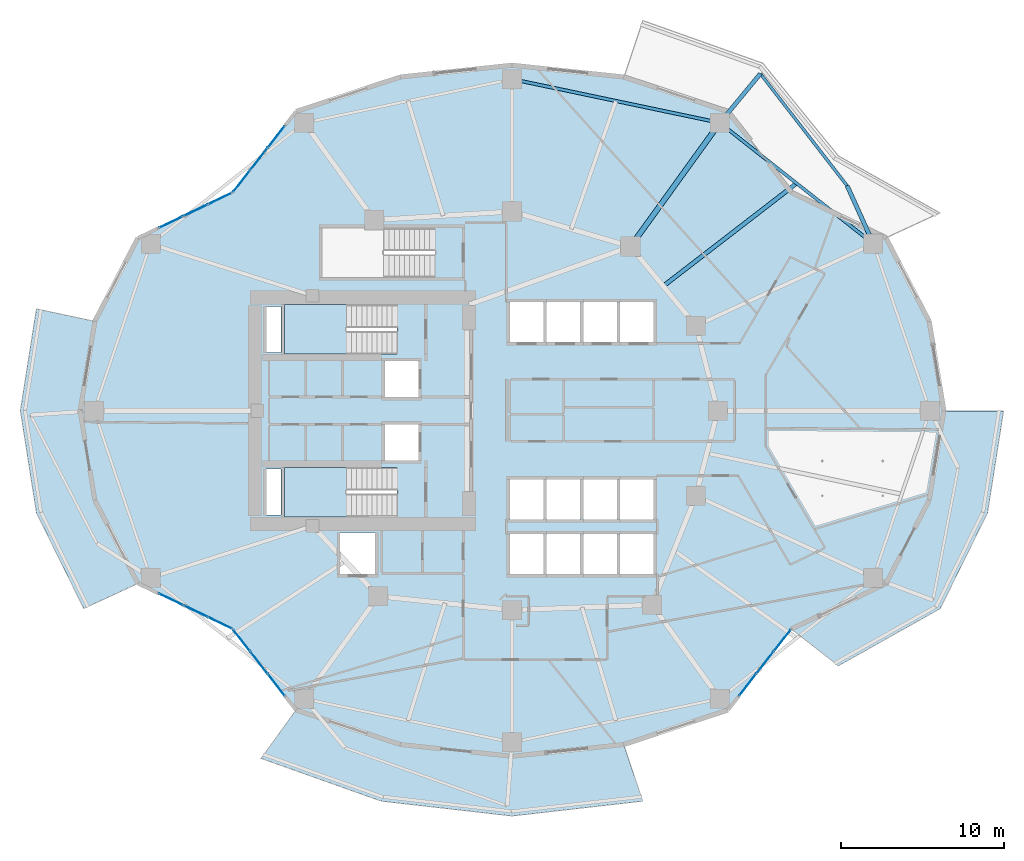
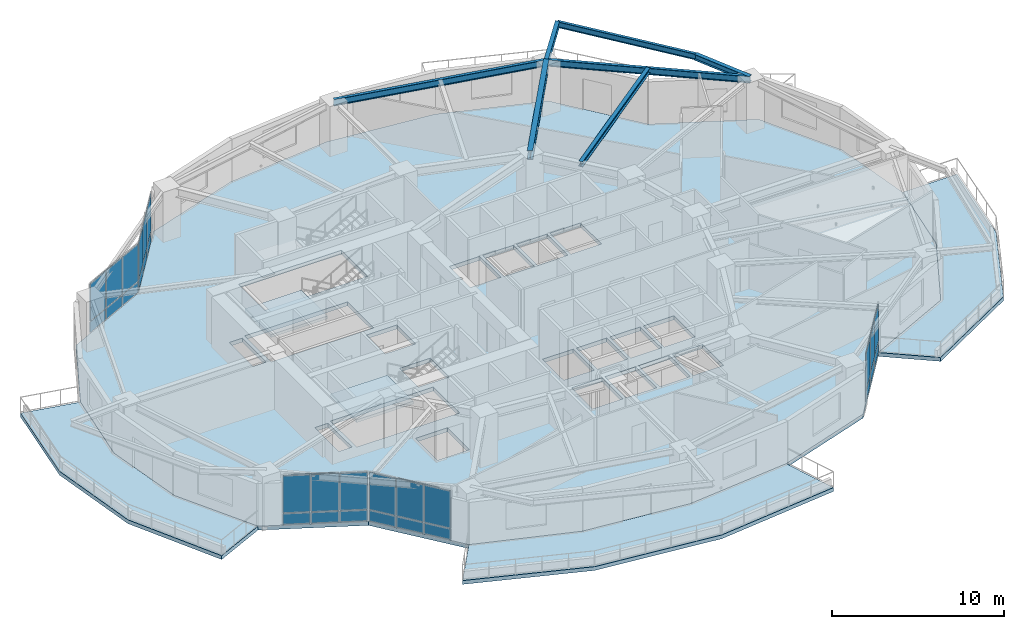
# One storey, part 7 of 18: 35 plates, 7 beams, 6 slabs, 7 elements without a shape of their own.
"""IFC4 building model written with IfcOpenShell, lengths in metres."""

from ifc_helpers import new_model, si_unit, direction, frame, origin, origin_2d, place, context, subcontext, project, spatial, polyline, rectangle, i_section, outline, extrude, material, layer, layer_set, material_profile, profile_set, type_object, element, aggregate, save


model = new_model("IFC4")

# Units and contexts
model_context = context("Model", 3, precision=1e-05, world=origin(), true_north=direction((0.0, 1.0)))
body_context = subcontext(model_context, "Body", "Model", "MODEL_VIEW")
ifc_project = project(units=[si_unit("LENGTHUNIT", "METRE"), si_unit("AREAUNIT", "SQUARE_METRE"), si_unit("VOLUMEUNIT", "CUBIC_METRE"), si_unit("PLANEANGLEUNIT", "RADIAN"), si_unit("MASSUNIT", "GRAM", prefix="KILO")], contexts=[model_context])

# Site, building, storey
site_placement = place(None, origin())
site = spatial("IfcSite", under=ifc_project, at=site_placement, CompositionType="ELEMENT")
building_placement = place(site_placement, origin())
building = spatial("IfcBuilding", under=site, at=building_placement, Name="Kolvaren Gate Tower and Convention Centre", CompositionType="ELEMENT")
storey_placement = place(building_placement, frame((0.0, 0.0, 53.449951171875)))
storey = spatial("IfcBuildingStorey", under=building, at=storey_placement, Name="L12", CompositionType="ELEMENT", Elevation=53.449951171875)

# Beams
ifc_material_1 = material(Name="Structural steel ASTM A992 Grade 345 MPa", Category="steel")
ifc_material_profile_1 = material_profile(ifc_material_1, i_section(OverallWidth=0.260009765625, OverallDepth=0.419921875, WebThickness=0.013427734375, FlangeThickness=0.0224609375, at=origin_2d()), Name="W410X132")
ifc_profile_set_1 = profile_set([ifc_material_profile_1], Name="Structural steel ASTM A992 Grade 345 MPa")
beam_type_1 = type_object("IfcBeamType", Name="STR-BM-W410X132", PredefinedType="BEAM", material=ifc_profile_set_1)
beam_1_placement = place(storey_placement, frame((52.248779296875, 37.218505859375, 3.360595703125), z_axis=(-0.411967423592, 0.911198574351, 0.0), x_axis=(-0.911198574351, -0.411967423592, 0.0)))
element("IfcBeam", 1, at=beam_1_placement, inside=storey, type_object=beam_type_1, Name="Tower L13 Planted Balcony Outrigger Cantilever BC-1A", PredefinedType="BEAM", context=body_context, shape_type="SweptSolid", body=[
    extrude(i_section(OverallWidth=0.260009765625, OverallDepth=0.419921875, WebThickness=0.013427734375, FlangeThickness=0.0224609375, at=origin_2d()), origin(), (0.0, 0.0, 1.0), 3.900146484375),
])
beam_2_placement = place(storey_placement, frame((42.846435546875, 44.627197265625, 3.360595703125), z_axis=(0.637044832711, 0.770826751687, 0.0), x_axis=(-0.770826751687, 0.637044832711, 0.0)))
element("IfcBeam", 2, at=beam_2_placement, inside=storey, type_object=beam_type_1, Name="Tower L13 Planted Balcony Outrigger Cantilever BC-1B", PredefinedType="BEAM", context=body_context, shape_type="SweptSolid", body=[
    extrude(i_section(OverallWidth=0.260009765625, OverallDepth=0.419921875, WebThickness=0.013427734375, FlangeThickness=0.0224609375, at=origin_2d()), origin(), (0.0, 0.0, 1.0), 3.89990234375),
])
ifc_material_profile_2 = material_profile(ifc_material_1, i_section(OverallWidth=0.327880859375, OverallDepth=0.6279296875, WebThickness=0.0166015625, FlangeThickness=0.027587890625, at=origin_2d()), Name="W610X217")
ifc_profile_set_2 = profile_set([ifc_material_profile_2], Name="Structural steel ASTM A992 Grade 345 MPa")
beam_type_2 = type_object("IfcBeamType", Name="STR-BM-W610X217", PredefinedType="BEAM", material=ifc_profile_set_2)
beam_3_placement = place(storey_placement, frame((37.381591796875, 37.054931640625, 3.256103515625), z_axis=(0.585207971848, 0.810883240477, 0.0), x_axis=(-0.810883240477, 0.585207971848, 0.0)))
element("IfcBeam", 3, at=beam_3_placement, inside=storey, type_object=beam_type_2, Name="Tower L12 Radial Floor Girder RB-03", PredefinedType="BEAM", context=body_context, shape_type="SweptSolid", body=[
    extrude(i_section(OverallWidth=0.327880859375, OverallDepth=0.6279296875, WebThickness=0.0166015625, FlangeThickness=0.027587890625, at=origin_2d()), origin(), (0.0, 0.0, 1.0), 9.33837890625),
])
ifc_material_profile_3 = material_profile(ifc_material_1, i_section(OverallWidth=0.2548828125, OverallDepth=0.35693359375, WebThickness=0.010498046875, FlangeThickness=0.018310546875, at=origin_2d()), Name="W360X101")
ifc_profile_set_3 = profile_set([ifc_material_profile_3], Name="Structural steel ASTM A992 Grade 345 MPa")
beam_type_3 = type_object("IfcBeamType", Name="STR-JS-W360X101", PredefinedType="JOIST", material=ifc_profile_set_3)
beam_4_placement = place(storey_placement, frame((39.3818359375, 34.627197265625, 3.3916015625), z_axis=(0.791953664744, 0.610581192716, 0.0), x_axis=(-0.610581192716, 0.791953664744, 0.0)))
element("IfcBeam", 4, at=beam_4_placement, inside=storey, type_object=beam_type_3, Name="Tower L12 Secondary Composite Floor Joist J-02.1", PredefinedType="JOIST", context=body_context, shape_type="SweptSolid", body=[
    extrude(i_section(OverallWidth=0.2548828125, OverallDepth=0.35693359375, WebThickness=0.010498046875, FlangeThickness=0.018310546875, at=origin_2d()), origin(), (0.0, 0.0, 1.0), 10.31103515625),
])
ifc_material_profile_4 = material_profile(ifc_material_1, i_section(OverallWidth=0.180908203125, OverallDepth=0.4169921875, WebThickness=0.010986328125, FlangeThickness=0.018310546875, at=origin_2d()), Name="W410X85")
ifc_profile_set_4 = profile_set([ifc_material_profile_4], Name="Structural steel ASTM A992 Grade 345 MPa")
beam_type_4 = type_object("IfcBeamType", Name="STR-SP-W410X85", PredefinedType="SPANDREL", material=ifc_profile_set_4)
beam_5_placement = place(storey_placement, frame((50.64208984375, 40.772216796875, 3.362060546875), z_axis=(-0.61213516889, 0.790753144166, 0.0), x_axis=(-0.790753144166, -0.61213516889, 0.0)))
element("IfcBeam", 5, at=beam_5_placement, inside=storey, type_object=beam_type_4, Name="Tower L13 Planted Balcony Header Tie Beam BT-1", PredefinedType="SPANDREL", context=body_context, shape_type="SweptSolid", body=[
    extrude(i_section(OverallWidth=0.180908203125, OverallDepth=0.4169921875, WebThickness=0.010986328125, FlangeThickness=0.018310546875, at=origin_2d()), origin(), (0.0, 0.0, 1.0), 8.6767578125),
])
ifc_material_profile_5 = material_profile(ifc_material_1, i_section(OverallWidth=0.194091796875, OverallDepth=0.468994140625, WebThickness=0.0126953125, FlangeThickness=0.0205078125, at=origin_2d()), Name="W460X106")
ifc_profile_set_5 = profile_set([ifc_material_profile_5], Name="Structural steel ASTM A992 Grade 345 MPa")
beam_type_5 = type_object("IfcBeamType", Name="STR-SP-W460X106", PredefinedType="SPANDREL", material=ifc_profile_set_5)
beam_6_placement = place(storey_placement, frame((52.248779296875, 37.218505859375, 3.33544921875), z_axis=(-0.785459824636, 0.618912646407, 0.0), x_axis=(-0.618912646407, -0.785459824636, 0.0)))
element("IfcBeam", 6, at=beam_6_placement, inside=storey, type_object=beam_type_5, Name="Tower L12 Perimeter Spandrel Beam SP-02", PredefinedType="SPANDREL", context=body_context, shape_type="SweptSolid", body=[
    extrude(i_section(OverallWidth=0.194091796875, OverallDepth=0.468994140625, WebThickness=0.0126953125, FlangeThickness=0.0205078125, at=origin_2d()), origin(), (0.0, 0.0, 1.0), 11.970458984375),
])
beam_7_placement = place(storey_placement, frame((42.846435546875, 44.627197265625, 3.33544921875), z_axis=(-0.978632602148, 0.205616706552, 0.0), x_axis=(-0.205616706552, -0.978632602148, 0.0)))
element("IfcBeam", 7, at=beam_7_placement, inside=storey, type_object=beam_type_5, Name="Tower L12 Perimeter Spandrel Beam SP-03", PredefinedType="SPANDREL", context=body_context, shape_type="SweptSolid", body=[
    extrude(i_section(OverallWidth=0.194091796875, OverallDepth=0.468994140625, WebThickness=0.0126953125, FlangeThickness=0.0205078125, at=origin_2d()), origin(), (0.0, 0.0, 1.0), 12.999267578125),
])

# Plates
ifc_material_2 = material(Name="Perforated Anodized Bronze Aluminium Sheet 6 mm", Category="aluminium")
ifc_layer_1 = layer(ifc_material_2, 0.011962890625)
ifc_layer_set_1 = layer_set([ifc_layer_1], Name="Perforated Anodized Bronze Aluminium Sheet 6 mm")
plate_type_1 = type_object("IfcPlateType", Name="ARCH-PL-SCREEN-PERF", PredefinedType="SHEET", material=ifc_layer_set_1)
for number, where, z_axis, x_axis, name in (
    (8, (14.96630859375, 42.83837890625, 2.72998046875), (0.0, 0.0, 1.0), (0.61644236478, 0.787400032325, 0.0), "Tower L12 Perforated Bronze Solar Screen SS-08"),
    (9, (10.127685546875, 38.967529296875, 2.72998046875), (0.0, 0.0, 1.0), (0.901357634097, 0.433075530889, 0.0), "Tower L12 Perforated Bronze Solar Screen SS-09"),
    (10, (10.127685546875, 15.032470703125, 2.72998046875), (0.0, 0.0, 1.0), (0.901357634097, -0.433075530889, 0.0), "Tower L12 Perforated Bronze Solar Screen SS-14"),
    (11, (14.966064453125, 11.161865234375, 2.72998046875), (0.0, 0.0, 1.0), (0.616431370541, -0.787408639407, 0.0), "Tower L12 Perforated Bronze Solar Screen SS-15"),
    (12, (45.283935546875, 11.161865234375, 2.72998046875), (0.0, 0.0, 1.0), (0.616431370541, 0.787408639407, 0.0), "Tower L12 Perforated Bronze Solar Screen SS-20"),
):
    element("IfcPlate", number, at=place(storey_placement, frame(where, z_axis=z_axis, x_axis=x_axis)), inside=storey, type_object=plate_type_1, Name=name, PredefinedType="SHEET", context=body_context, shape_type="SweptSolid", body=[
        extrude(rectangle(XDim=2.60009765625, YDim=0.011962890625, at=origin_2d()), origin(), (0.0, 0.0, 1.0), 0.840087890625),
    ])

# Curtain wall, plates
ifc_material_3 = material(Name="Anodized Architectural Aluminium Alloy 6063-T6", Category="aluminium")
ifc_layer_2 = layer(ifc_material_3, 0.159912109375)
ifc_layer_set_2 = layer_set([ifc_layer_2], Name="Anodized Architectural Aluminium Alloy 6063-T6")
curtain_wall_type = type_object("IfcCurtainWallType", Name="CW-OFF-UNIT", PredefinedType="NOTDEFINED", material=ifc_layer_set_2)
curtain_wall_1_placement = place(storey_placement, origin())
curtain_wall_1 = element("IfcCurtainWall", 13, at=curtain_wall_1_placement, inside=storey, type_object=curtain_wall_type, Name="Tower L12 Unitised Curtain Wall CW-OFF-UNIT Bay 08", PredefinedType="NOTDEFINED")
ifc_material_4 = material(Name="Low-E Triple Insulated Glazing Unit 44 mm", Category="glass")
ifc_layer_3 = layer(ifc_material_4, 0.0439453125)
ifc_layer_set_3 = layer_set([ifc_layer_3], Name="Low-E Triple Insulated Glazing Unit 44 mm")
plate_type_2 = type_object("IfcPlateType", Name="CW-PL-IGU-44", PredefinedType="CURTAIN_PANEL", material=ifc_layer_set_3)
plate_1_placement = place(storey_placement, frame((13.572265625, 41.0576171875, 0.882568359375), z_axis=(0.0, 0.0, 1.0), x_axis=(0.616438471527, 0.787403080271, 0.0)))
plate_1 = element("IfcPlate", 14, at=plate_1_placement, type_object=plate_type_2, Name="CW-02 panel 1.2", PredefinedType="CURTAIN_PANEL", context=body_context, shape_type="SweptSolid", body=[
    extrude(rectangle(XDim=1.641845703125, YDim=0.0439453125, at=origin_2d()), origin(), (0.0, 0.0, 1.0), 2.62255859375),
])
plate_2_placement = place(storey_placement, frame((14.634521484375, 42.41455078125, 0.882568359375), z_axis=(0.0, 0.0, 1.0), x_axis=(0.616438471527, 0.787403080271, 0.0)))
plate_2 = element("IfcPlate", 15, at=plate_2_placement, type_object=plate_type_2, Name="CW-02 panel 2.2", PredefinedType="CURTAIN_PANEL", context=body_context, shape_type="SweptSolid", body=[
    extrude(rectangle(XDim=1.67431640625, YDim=0.0439453125, at=origin_2d()), origin(), (0.0, 0.0, 1.0), 2.62255859375),
])
plate_3_placement = place(storey_placement, frame((15.696533203125, 43.771240234375, 0.882568359375), z_axis=(0.0, 0.0, 1.0), x_axis=(0.616438471527, 0.787403080271, 0.0)))
plate_3 = element("IfcPlate", 16, at=plate_3_placement, type_object=plate_type_2, Name="CW-02 panel 3.2", PredefinedType="CURTAIN_PANEL", context=body_context, shape_type="SweptSolid", body=[
    extrude(rectangle(XDim=1.641845703125, YDim=0.0439453125, at=origin_2d()), origin(), (0.0, 0.0, 1.0), 2.62255859375),
])

curtain_wall_2_placement = place(storey_placement, origin())
curtain_wall_2 = element("IfcCurtainWall", 17, at=curtain_wall_2_placement, inside=storey, type_object=curtain_wall_type, Name="Tower L12 Unitised Curtain Wall CW-OFF-UNIT Bay 09", PredefinedType="NOTDEFINED")
plate_4_placement = place(storey_placement, frame((9.24755859375, 38.544677734375, 0.882568359375), z_axis=(0.0, 0.0, 1.0), x_axis=(0.901357981913, 0.433074806981, 0.0)))
plate_4 = element("IfcPlate", 18, at=plate_4_placement, type_object=plate_type_2, Name="CW-02 panel 1.2", PredefinedType="CURTAIN_PANEL", context=body_context, shape_type="SweptSolid", body=[
    extrude(rectangle(XDim=1.585693359375, YDim=0.0439453125, at=origin_2d()), origin(), (0.0, 0.0, 1.0), 2.62255859375),
])
plate_5_placement = place(storey_placement, frame((10.750244140625, 39.2666015625, 0.882568359375), z_axis=(0.0, 0.0, 1.0), x_axis=(0.901357981913, 0.433074806981, 0.0)))
plate_5 = element("IfcPlate", 19, at=plate_5_placement, type_object=plate_type_2, Name="CW-02 panel 2.2", PredefinedType="CURTAIN_PANEL", context=body_context, shape_type="SweptSolid", body=[
    extrude(rectangle(XDim=1.618408203125, YDim=0.0439453125, at=origin_2d()), origin(), (0.0, 0.0, 1.0), 2.62255859375),
])
plate_6_placement = place(storey_placement, frame((12.2529296875, 39.988525390625, 0.882568359375), z_axis=(0.0, 0.0, 1.0), x_axis=(0.901357981913, 0.433074806981, 0.0)))
plate_6 = element("IfcPlate", 20, at=plate_6_placement, type_object=plate_type_2, Name="CW-02 panel 3.2", PredefinedType="CURTAIN_PANEL", context=body_context, shape_type="SweptSolid", body=[
    extrude(rectangle(XDim=1.585693359375, YDim=0.0439453125, at=origin_2d()), origin(), (0.0, 0.0, 1.0), 2.62255859375),
])

curtain_wall_3_placement = place(storey_placement, origin())
curtain_wall_3 = element("IfcCurtainWall", 21, at=curtain_wall_3_placement, inside=storey, type_object=curtain_wall_type, Name="Tower L12 Unitised Curtain Wall CW-OFF-UNIT Bay 14", PredefinedType="NOTDEFINED")
plate_7_placement = place(storey_placement, frame((9.24755859375, 15.455322265625, 0.882568359375), z_axis=(0.0, 0.0, 1.0), x_axis=(0.901357981913, -0.433074806981, 0.0)))
plate_7 = element("IfcPlate", 22, at=plate_7_placement, type_object=plate_type_2, Name="CW-02 panel 1.2", PredefinedType="CURTAIN_PANEL", context=body_context, shape_type="SweptSolid", body=[
    extrude(rectangle(XDim=1.585693359375, YDim=0.0439453125, at=origin_2d()), origin(), (0.0, 0.0, 1.0), 2.62255859375),
])
plate_8_placement = place(storey_placement, frame((10.750244140625, 14.7333984375, 0.882568359375), z_axis=(0.0, 0.0, 1.0), x_axis=(0.901357981913, -0.433074806981, 0.0)))
plate_8 = element("IfcPlate", 23, at=plate_8_placement, type_object=plate_type_2, Name="CW-02 panel 2.2", PredefinedType="CURTAIN_PANEL", context=body_context, shape_type="SweptSolid", body=[
    extrude(rectangle(XDim=1.618408203125, YDim=0.0439453125, at=origin_2d()), origin(), (0.0, 0.0, 1.0), 2.62255859375),
])
plate_9_placement = place(storey_placement, frame((12.2529296875, 14.011474609375, 0.882568359375), z_axis=(0.0, 0.0, 1.0), x_axis=(0.901357981913, -0.433074806981, 0.0)))
plate_9 = element("IfcPlate", 24, at=plate_9_placement, type_object=plate_type_2, Name="CW-02 panel 3.2", PredefinedType="CURTAIN_PANEL", context=body_context, shape_type="SweptSolid", body=[
    extrude(rectangle(XDim=1.585693359375, YDim=0.0439453125, at=origin_2d()), origin(), (0.0, 0.0, 1.0), 2.62255859375),
])

curtain_wall_4_placement = place(storey_placement, origin())
curtain_wall_4 = element("IfcCurtainWall", 25, at=curtain_wall_4_placement, inside=storey, type_object=curtain_wall_type, Name="Tower L12 Unitised Curtain Wall CW-OFF-UNIT Bay 15", PredefinedType="NOTDEFINED")
plate_10_placement = place(storey_placement, frame((13.572265625, 12.9423828125, 0.882568359375), z_axis=(0.0, 0.0, 1.0), x_axis=(0.616426589398, -0.787412382353, 0.0)))
plate_10 = element("IfcPlate", 26, at=plate_10_placement, type_object=plate_type_2, Name="CW-02 panel 1.2", PredefinedType="CURTAIN_PANEL", context=body_context, shape_type="SweptSolid", body=[
    extrude(rectangle(XDim=1.641845703125, YDim=0.0439453125, at=origin_2d()), origin(), (0.0, 0.0, 1.0), 2.62255859375),
])
plate_11_placement = place(storey_placement, frame((14.63427734375, 11.58544921875, 0.882568359375), z_axis=(0.0, 0.0, 1.0), x_axis=(0.616426589398, -0.787412382353, 0.0)))
plate_11 = element("IfcPlate", 27, at=plate_11_placement, type_object=plate_type_2, Name="CW-02 panel 2.2", PredefinedType="CURTAIN_PANEL", context=body_context, shape_type="SweptSolid", body=[
    extrude(rectangle(XDim=1.67431640625, YDim=0.0439453125, at=origin_2d()), origin(), (0.0, 0.0, 1.0), 2.62255859375),
])
plate_12_placement = place(storey_placement, frame((15.696533203125, 10.228759765625, 0.882568359375), z_axis=(0.0, 0.0, 1.0), x_axis=(0.616426589398, -0.787412382353, 0.0)))
plate_12 = element("IfcPlate", 28, at=plate_12_placement, type_object=plate_type_2, Name="CW-02 panel 3.2", PredefinedType="CURTAIN_PANEL", context=body_context, shape_type="SweptSolid", body=[
    extrude(rectangle(XDim=1.641845703125, YDim=0.0439453125, at=origin_2d()), origin(), (0.0, 0.0, 1.0), 2.62255859375),
])

curtain_wall_5_placement = place(storey_placement, origin())
curtain_wall_5 = element("IfcCurtainWall", 29, at=curtain_wall_5_placement, inside=storey, type_object=curtain_wall_type, Name="Tower L12 Unitised Curtain Wall CW-OFF-UNIT Bay 20", PredefinedType="NOTDEFINED")
plate_13_placement = place(storey_placement, frame((44.55322265625, 10.228515625, 0.882568359375), z_axis=(0.0, 0.0, 1.0), x_axis=(0.61643432946, 0.787406322976, 0.0)))
plate_13 = element("IfcPlate", 30, at=plate_13_placement, type_object=plate_type_2, Name="CW-02 panel 1.2", PredefinedType="CURTAIN_PANEL", context=body_context, shape_type="SweptSolid", body=[
    extrude(rectangle(XDim=1.641845703125, YDim=0.0439453125, at=origin_2d()), origin(), (0.0, 0.0, 1.0), 2.62255859375),
])
plate_14_placement = place(storey_placement, frame((45.615478515625, 11.58544921875, 0.882568359375), z_axis=(0.0, 0.0, 1.0), x_axis=(0.61643432946, 0.787406322976, 0.0)))
plate_14 = element("IfcPlate", 31, at=plate_14_placement, type_object=plate_type_2, Name="CW-02 panel 2.2", PredefinedType="CURTAIN_PANEL", context=body_context, shape_type="SweptSolid", body=[
    extrude(rectangle(XDim=1.674560546875, YDim=0.0439453125, at=origin_2d()), origin(), (0.0, 0.0, 1.0), 2.62255859375),
])
plate_15_placement = place(storey_placement, frame((46.677734375, 12.9423828125, 0.882568359375), z_axis=(0.0, 0.0, 1.0), x_axis=(0.61643432946, 0.787406322976, 0.0)))
plate_15 = element("IfcPlate", 32, at=plate_15_placement, type_object=plate_type_2, Name="CW-02 panel 3.2", PredefinedType="CURTAIN_PANEL", context=body_context, shape_type="SweptSolid", body=[
    extrude(rectangle(XDim=1.641845703125, YDim=0.0439453125, at=origin_2d()), origin(), (0.0, 0.0, 1.0), 2.62255859375),
])

# Plate
ifc_material_5 = material(Name="Solar-Control Laminated Curtain Glazing 36 mm", Category="glass")
ifc_layer_4 = layer(ifc_material_5, 0.035888671875)
ifc_layer_set_4 = layer_set([ifc_layer_4], Name="Solar-Control Laminated Curtain Glazing 36 mm")
plate_type_3 = type_object("IfcPlateType", Name="CW-PL-SPAN-36", PredefinedType="CURTAIN_PANEL", material=ifc_layer_set_4)
plate_16_placement = place(storey_placement, frame((13.572265625, 41.0576171875, 0.065185546875), z_axis=(0.0, 0.0, 1.0), x_axis=(0.616438471527, 0.787403080271, 0.0)))
plate_16 = element("IfcPlate", 33, at=plate_16_placement, type_object=plate_type_3, Name="CW-02 panel 1.1", PredefinedType="CURTAIN_PANEL", context=body_context, shape_type="SweptSolid", body=[
    extrude(rectangle(XDim=1.641845703125, YDim=0.035888671875, at=origin_2d()), origin(), (0.0, 0.0, 1.0), 0.75244140625),
])

plate_17_placement = place(storey_placement, frame((14.634521484375, 42.41455078125, 0.065185546875), z_axis=(0.0, 0.0, 1.0), x_axis=(0.616438471527, 0.787403080271, 0.0)))
plate_17 = element("IfcPlate", 34, at=plate_17_placement, type_object=plate_type_3, Name="CW-02 panel 2.1", PredefinedType="CURTAIN_PANEL", context=body_context, shape_type="SweptSolid", body=[
    extrude(rectangle(XDim=1.67431640625, YDim=0.035888671875, at=origin_2d()), origin(), (0.0, 0.0, 1.0), 0.75244140625),
])

plate_18_placement = place(storey_placement, frame((15.696533203125, 43.771240234375, 0.065185546875), z_axis=(0.0, 0.0, 1.0), x_axis=(0.616438471527, 0.787403080271, 0.0)))
plate_18 = element("IfcPlate", 35, at=plate_18_placement, type_object=plate_type_3, Name="CW-02 panel 3.1", PredefinedType="CURTAIN_PANEL", context=body_context, shape_type="SweptSolid", body=[
    extrude(rectangle(XDim=1.641845703125, YDim=0.035888671875, at=origin_2d()), origin(), (0.0, 0.0, 1.0), 0.75244140625),
])

aggregate(curtain_wall_1, [plate_16, plate_1, plate_17, plate_2, plate_18, plate_3])

plate_19_placement = place(storey_placement, frame((9.24755859375, 38.544677734375, 0.065185546875), z_axis=(0.0, 0.0, 1.0), x_axis=(0.901357981913, 0.433074806981, 0.0)))
plate_19 = element("IfcPlate", 36, at=plate_19_placement, type_object=plate_type_3, Name="CW-02 panel 1.1", PredefinedType="CURTAIN_PANEL", context=body_context, shape_type="SweptSolid", body=[
    extrude(rectangle(XDim=1.585693359375, YDim=0.035888671875, at=origin_2d()), origin(), (0.0, 0.0, 1.0), 0.75244140625),
])

plate_20_placement = place(storey_placement, frame((10.750244140625, 39.2666015625, 0.065185546875), z_axis=(0.0, 0.0, 1.0), x_axis=(0.901357981913, 0.433074806981, 0.0)))
plate_20 = element("IfcPlate", 37, at=plate_20_placement, type_object=plate_type_3, Name="CW-02 panel 2.1", PredefinedType="CURTAIN_PANEL", context=body_context, shape_type="SweptSolid", body=[
    extrude(rectangle(XDim=1.618408203125, YDim=0.035888671875, at=origin_2d()), origin(), (0.0, 0.0, 1.0), 0.75244140625),
])

plate_21_placement = place(storey_placement, frame((12.2529296875, 39.988525390625, 0.065185546875), z_axis=(0.0, 0.0, 1.0), x_axis=(0.901357981913, 0.433074806981, 0.0)))
plate_21 = element("IfcPlate", 38, at=plate_21_placement, type_object=plate_type_3, Name="CW-02 panel 3.1", PredefinedType="CURTAIN_PANEL", context=body_context, shape_type="SweptSolid", body=[
    extrude(rectangle(XDim=1.585693359375, YDim=0.035888671875, at=origin_2d()), origin(), (0.0, 0.0, 1.0), 0.75244140625),
])

aggregate(curtain_wall_2, [plate_19, plate_4, plate_20, plate_5, plate_21, plate_6])

plate_22_placement = place(storey_placement, frame((9.24755859375, 15.455322265625, 0.065185546875), z_axis=(0.0, 0.0, 1.0), x_axis=(0.901357981913, -0.433074806981, 0.0)))
plate_22 = element("IfcPlate", 39, at=plate_22_placement, type_object=plate_type_3, Name="CW-02 panel 1.1", PredefinedType="CURTAIN_PANEL", context=body_context, shape_type="SweptSolid", body=[
    extrude(rectangle(XDim=1.585693359375, YDim=0.035888671875, at=origin_2d()), origin(), (0.0, 0.0, 1.0), 0.75244140625),
])

plate_23_placement = place(storey_placement, frame((10.750244140625, 14.7333984375, 0.065185546875), z_axis=(0.0, 0.0, 1.0), x_axis=(0.901357981913, -0.433074806981, 0.0)))
plate_23 = element("IfcPlate", 40, at=plate_23_placement, type_object=plate_type_3, Name="CW-02 panel 2.1", PredefinedType="CURTAIN_PANEL", context=body_context, shape_type="SweptSolid", body=[
    extrude(rectangle(XDim=1.618408203125, YDim=0.035888671875, at=origin_2d()), origin(), (0.0, 0.0, 1.0), 0.75244140625),
])

plate_24_placement = place(storey_placement, frame((12.2529296875, 14.011474609375, 0.065185546875), z_axis=(0.0, 0.0, 1.0), x_axis=(0.901357981913, -0.433074806981, 0.0)))
plate_24 = element("IfcPlate", 41, at=plate_24_placement, type_object=plate_type_3, Name="CW-02 panel 3.1", PredefinedType="CURTAIN_PANEL", context=body_context, shape_type="SweptSolid", body=[
    extrude(rectangle(XDim=1.585693359375, YDim=0.035888671875, at=origin_2d()), origin(), (0.0, 0.0, 1.0), 0.75244140625),
])

aggregate(curtain_wall_3, [plate_22, plate_7, plate_23, plate_8, plate_24, plate_9])

plate_25_placement = place(storey_placement, frame((13.572265625, 12.9423828125, 0.065185546875), z_axis=(0.0, 0.0, 1.0), x_axis=(0.616426589398, -0.787412382353, 0.0)))
plate_25 = element("IfcPlate", 42, at=plate_25_placement, type_object=plate_type_3, Name="CW-02 panel 1.1", PredefinedType="CURTAIN_PANEL", context=body_context, shape_type="SweptSolid", body=[
    extrude(rectangle(XDim=1.641845703125, YDim=0.035888671875, at=origin_2d()), origin(), (0.0, 0.0, 1.0), 0.75244140625),
])

plate_26_placement = place(storey_placement, frame((14.63427734375, 11.58544921875, 0.065185546875), z_axis=(0.0, 0.0, 1.0), x_axis=(0.616426589398, -0.787412382353, 0.0)))
plate_26 = element("IfcPlate", 43, at=plate_26_placement, type_object=plate_type_3, Name="CW-02 panel 2.1", PredefinedType="CURTAIN_PANEL", context=body_context, shape_type="SweptSolid", body=[
    extrude(rectangle(XDim=1.67431640625, YDim=0.035888671875, at=origin_2d()), origin(), (0.0, 0.0, 1.0), 0.75244140625),
])

plate_27_placement = place(storey_placement, frame((15.696533203125, 10.228759765625, 0.065185546875), z_axis=(0.0, 0.0, 1.0), x_axis=(0.616426589398, -0.787412382353, 0.0)))
plate_27 = element("IfcPlate", 44, at=plate_27_placement, type_object=plate_type_3, Name="CW-02 panel 3.1", PredefinedType="CURTAIN_PANEL", context=body_context, shape_type="SweptSolid", body=[
    extrude(rectangle(XDim=1.641845703125, YDim=0.035888671875, at=origin_2d()), origin(), (0.0, 0.0, 1.0), 0.75244140625),
])

aggregate(curtain_wall_4, [plate_25, plate_10, plate_26, plate_11, plate_27, plate_12])

plate_28_placement = place(storey_placement, frame((44.55322265625, 10.228515625, 0.065185546875), z_axis=(0.0, 0.0, 1.0), x_axis=(0.61643432946, 0.787406322976, 0.0)))
plate_28 = element("IfcPlate", 45, at=plate_28_placement, type_object=plate_type_3, Name="CW-02 panel 1.1", PredefinedType="CURTAIN_PANEL", context=body_context, shape_type="SweptSolid", body=[
    extrude(rectangle(XDim=1.641845703125, YDim=0.035888671875, at=origin_2d()), origin(), (0.0, 0.0, 1.0), 0.75244140625),
])

plate_29_placement = place(storey_placement, frame((45.615478515625, 11.58544921875, 0.065185546875), z_axis=(0.0, 0.0, 1.0), x_axis=(0.61643432946, 0.787406322976, 0.0)))
plate_29 = element("IfcPlate", 46, at=plate_29_placement, type_object=plate_type_3, Name="CW-02 panel 2.1", PredefinedType="CURTAIN_PANEL", context=body_context, shape_type="SweptSolid", body=[
    extrude(rectangle(XDim=1.674560546875, YDim=0.035888671875, at=origin_2d()), origin(), (0.0, 0.0, 1.0), 0.75244140625),
])

plate_30_placement = place(storey_placement, frame((46.677734375, 12.9423828125, 0.065185546875), z_axis=(0.0, 0.0, 1.0), x_axis=(0.61643432946, 0.787406322976, 0.0)))
plate_30 = element("IfcPlate", 47, at=plate_30_placement, type_object=plate_type_3, Name="CW-02 panel 3.1", PredefinedType="CURTAIN_PANEL", context=body_context, shape_type="SweptSolid", body=[
    extrude(rectangle(XDim=1.641845703125, YDim=0.035888671875, at=origin_2d()), origin(), (0.0, 0.0, 1.0), 0.75244140625),
])

aggregate(curtain_wall_5, [plate_28, plate_13, plate_29, plate_14, plate_30, plate_15])

# Slabs
ifc_material_6 = material(Name="Concrete C50/60", Category="concrete")
ifc_layer_5 = layer(ifc_material_6, 0.27001953125)
ifc_layer_set_5 = layer_set([ifc_layer_5], Name="Concrete C50/60")
slab_type_1 = type_object("IfcSlabType", Name="STR-SL-BALC-270", PredefinedType="FLOOR", material=ifc_layer_set_5)
slab_1_placement = place(storey_placement, frame((0.0, 0.0, -0.27001953125)))
element("IfcSlab", 48, at=slab_1_placement, inside=storey, type_object=slab_type_1, Name="Tower L12 Planted Balcony Terrace Slab 2 (West)", PredefinedType="FLOOR", context=body_context, shape_type="SweptSolid", body=[
    extrude(outline(polyline([(4.58837890625, 32.47412109375), (3.6875, 27.0), (4.58837890625, 21.52587890625), (7.2294921875, 16.425048828125), (3.90673828125, 14.890380859375), (1.009521484375, 20.7587890625), (0.027587890625, 27.0), (1.009521484375, 33.2412109375), (4.58837890625, 32.47412109375)])), origin(), (0.0, 0.0, 1.0), 0.27001953125),
])
slab_2_placement = place(storey_placement, frame((0.0, 0.0, -0.27001953125)))
element("IfcSlab", 49, at=slab_2_placement, inside=storey, type_object=slab_type_1, Name="Tower L12 Planted Balcony Terrace Slab 3 (South)", PredefinedType="FLOOR", context=body_context, shape_type="SweptSolid", body=[
    extrude(outline(polyline([(16.90625, 8.68359375), (23.282470703125, 6.57080078125), (30.125, 5.85009765625), (36.967529296875, 6.57080078125), (38.1298828125, 3.10009765625), (30.125, 2.18994140625), (22.1201171875, 3.10009765625), (14.764404296875, 5.7158203125), (16.90625, 8.68359375)])), origin(), (0.0, 0.0, 1.0), 0.27001953125),
])
slab_3_placement = place(storey_placement, frame((0.0, 0.0, -0.27001953125)))
element("IfcSlab", 50, at=slab_3_placement, inside=storey, type_object=slab_type_1, Name="Tower L12 Planted Balcony Terrace Slab 4 (East)", PredefinedType="FLOOR", context=body_context, shape_type="SweptSolid", body=[
    extrude(outline(polyline([(47.223876953125, 13.639892578125), (53.0205078125, 16.425048828125), (55.66162109375, 21.52587890625), (56.5625, 27.0), (60.222412109375, 27.0), (59.240478515625, 20.7587890625), (56.34326171875, 14.890380859375), (50.10791015625, 11.386474609375), (47.223876953125, 13.639892578125)])), origin(), (0.0, 0.0, 1.0), 0.27001953125),
])
ifc_layer_6 = layer(ifc_material_6, 0.280029296875)
ifc_layer_set_6 = layer_set([ifc_layer_6], Name="Concrete C50/60")
slab_type_2 = type_object("IfcSlabType", Name="STR-SL-FLR-280", PredefinedType="FLOOR", material=ifc_layer_set_6)
slab_4_placement = place(storey_placement, frame((0.0, 0.0, -0.280029296875)))
element("IfcSlab", 51, at=slab_4_placement, inside=storey, type_object=slab_type_2, Name="Tower L12 Structural Floor Slab", PredefinedType="FLOOR", context=body_context, shape_type="SweptSolid", body=[
    extrude(outline(polyline([(56.5625, 27.0), (55.66162109375, 32.47412109375), (53.0205078125, 37.574951171875), (47.223876953125, 40.360107421875), (43.34375, 45.31640625), (36.967529296875, 47.42919921875), (30.125, 48.14990234375), (23.282470703125, 47.42919921875), (16.90625, 45.31640625), (13.026123046875, 40.360107421875), (7.2294921875, 37.574951171875), (4.58837890625, 32.47412109375), (3.6875, 27.0), (4.58837890625, 21.52587890625), (7.2294921875, 16.425048828125), (13.026123046875, 13.639892578125), (16.90625, 8.68359375), (23.282470703125, 6.57080078125), (30.125, 5.85009765625), (36.967529296875, 6.57080078125), (43.34375, 8.68359375), (47.223876953125, 13.639892578125), (53.0205078125, 16.425048828125), (55.66162109375, 21.52587890625), (56.5625, 27.0)]), holes=[polyline([(36.75, 33.64990234375), (38.800048828125, 33.64990234375), (38.800048828125, 31.199951171875), (36.75, 31.199951171875), (36.75, 33.64990234375)]), polyline([(36.75, 20.35009765625), (36.75, 22.800048828125), (38.800048828125, 22.800048828125), (38.800048828125, 20.35009765625), (36.75, 20.35009765625)]), polyline([(36.75, 17.0), (36.75, 19.449951171875), (38.800048828125, 19.449951171875), (38.800048828125, 17.0), (36.75, 17.0)]), polyline([(34.5, 33.64990234375), (36.550048828125, 33.64990234375), (36.550048828125, 31.199951171875), (34.5, 31.199951171875), (34.5, 33.64990234375)]), polyline([(34.5, 22.800048828125), (36.550048828125, 22.800048828125), (36.550048828125, 20.35009765625), (34.5, 20.35009765625), (34.5, 22.800048828125)]), polyline([(34.5, 17.0), (34.5, 19.449951171875), (36.550048828125, 19.449951171875), (36.550048828125, 17.0), (34.5, 17.0)]), polyline([(32.25, 31.199951171875), (32.25, 33.64990234375), (34.300048828125, 33.64990234375), (34.300048828125, 31.199951171875), (32.25, 31.199951171875)]), polyline([(32.25, 22.800048828125), (34.300048828125, 22.800048828125), (34.300048828125, 20.35009765625), (32.25, 20.35009765625), (32.25, 22.800048828125)]), polyline([(32.25, 17.0), (32.25, 19.449951171875), (34.300048828125, 19.449951171875), (34.300048828125, 17.0), (32.25, 17.0)]), polyline([(30.0, 31.199951171875), (30.0, 33.64990234375), (32.050048828125, 33.64990234375), (32.050048828125, 31.199951171875), (30.0, 31.199951171875)]), polyline([(30.0, 20.35009765625), (30.0, 22.800048828125), (32.050048828125, 22.800048828125), (32.050048828125, 20.35009765625), (30.0, 20.35009765625)]), polyline([(30.0, 17.0), (30.0, 19.449951171875), (32.050048828125, 19.449951171875), (32.050048828125, 17.0), (30.0, 17.0)]), polyline([(25.39990234375, 35.159912109375), (18.5, 35.159912109375), (18.5, 38.199951171875), (25.39990234375, 38.199951171875), (25.39990234375, 35.159912109375)]), polyline([(22.35009765625, 27.840087890625), (22.35009765625, 30.0400390625), (24.39990234375, 30.0400390625), (24.39990234375, 27.840087890625), (22.35009765625, 27.840087890625)]), polyline([(22.35009765625, 23.9599609375), (22.35009765625, 26.159912109375), (24.39990234375, 26.159912109375), (24.39990234375, 23.9599609375), (22.35009765625, 23.9599609375)]), polyline([(23.10009765625, 30.4599609375), (16.199951171875, 30.4599609375), (16.199951171875, 33.5), (23.10009765625, 33.5), (23.10009765625, 30.4599609375)]), polyline([(23.10009765625, 20.5), (16.199951171875, 20.5), (16.199951171875, 23.5400390625), (23.10009765625, 23.5400390625), (23.10009765625, 20.5)]), polyline([(19.60009765625, 17.0), (19.60009765625, 19.550048828125), (21.75, 19.550048828125), (21.75, 17.0), (19.60009765625, 17.0)]), polyline([(15.080078125, 23.419921875), (15.969970703125, 23.419921875), (15.969970703125, 20.6298828125), (15.080078125, 20.6298828125), (15.080078125, 23.419921875)]), polyline([(15.080078125, 30.580078125), (15.080078125, 33.3701171875), (15.969970703125, 33.3701171875), (15.969970703125, 30.580078125), (15.080078125, 30.580078125)])]), origin(), (0.0, 0.0, 1.0), 0.280029296875),
])

# Stair, slab
stair_type = type_object("IfcStairType", Name="STR-STAIR-CORE", PredefinedType="HALF_TURN_STAIR", material=ifc_material_6)
stair_1_placement = place(storey_placement, origin())
stair_1 = element("IfcStair", 52, at=stair_1_placement, inside=storey, type_object=stair_type, Name="L12 Tower North Exit Stair ST-T1", PredefinedType="HALF_TURN_STAIR")
ifc_layer_7 = layer(ifc_material_6, 0.199951171875)
ifc_layer_set_7 = layer_set([ifc_layer_7], Name="Concrete C50/60")
slab_type_3 = type_object("IfcSlabType", Name="STR-SL-LAND-200", PredefinedType="LANDING", material=ifc_layer_set_7)
slab_5_placement = place(storey_placement, frame((0.0, 0.0, 1.72509765625)))
slab_5 = element("IfcSlab", 53, at=slab_5_placement, type_object=slab_type_3, Name="ST-T1 landing 1", PredefinedType="LANDING", context=body_context, shape_type="SweptSolid", body=[
    extrude(outline(polyline([(20.0, 33.5), (16.199951171875, 33.5), (16.199951171875, 30.4599609375), (20.0, 30.4599609375), (20.0, 33.5)])), origin(), (0.0, 0.0, 1.0), 0.199951171875),
])
aggregate(stair_1, [slab_5])

stair_2_placement = place(storey_placement, origin())
stair_2 = element("IfcStair", 54, at=stair_2_placement, inside=storey, type_object=stair_type, Name="L12 Tower South Exit Stair ST-T2", PredefinedType="HALF_TURN_STAIR")
slab_6_placement = place(storey_placement, frame((0.0, 0.0, 1.72509765625)))
slab_6 = element("IfcSlab", 55, at=slab_6_placement, type_object=slab_type_3, Name="ST-T2 landing 1", PredefinedType="LANDING", context=body_context, shape_type="SweptSolid", body=[
    extrude(outline(polyline([(20.0, 23.5400390625), (16.199951171875, 23.5400390625), (16.199951171875, 20.5), (20.0, 20.5), (20.0, 23.5400390625)])), origin(), (0.0, 0.0, 1.0), 0.199951171875),
])
aggregate(stair_2, [slab_6])

save(model, "model.ifc")
